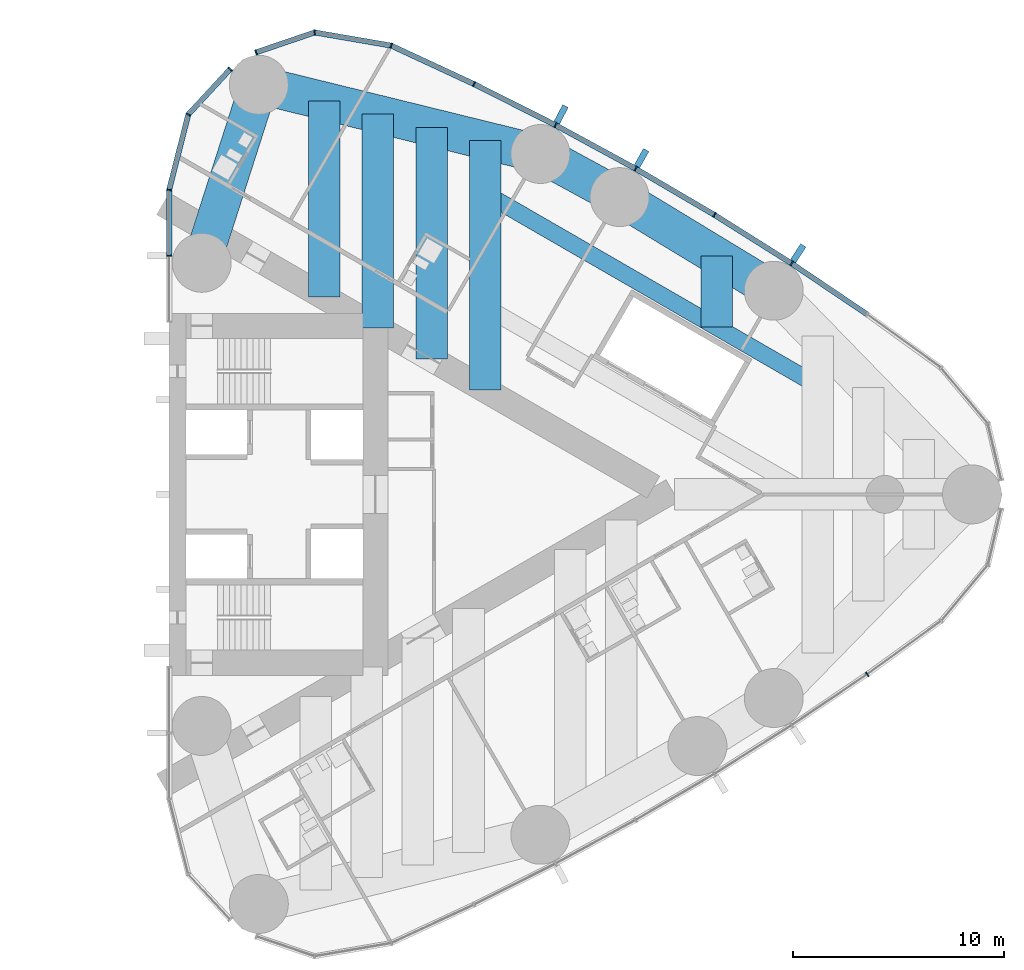
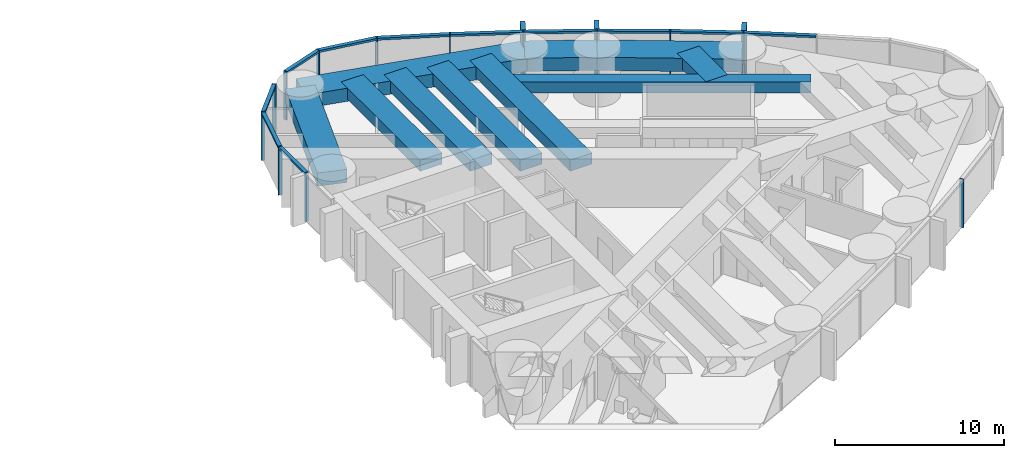
# One storey, part 8 of 19: 27 members, 10 beams, 3 elements without a shape of their own.
"""IFC4 building model written with IfcOpenShell, lengths in metres."""

from ifc_helpers import new_model, si_unit, direction, frame, origin, origin_2d, place, context, subcontext, project, spatial, rectangle, hollow_rectangle, extrude, material, material_profile, profile_set, type_object, element, aggregate, save


model = new_model("IFC4")

# Units and contexts
model_context = context("Model", 3, precision=1e-05, world=origin(), true_north=direction((0.0, 1.0)))
body_context = subcontext(model_context, "Body", "Model", "MODEL_VIEW")
ifc_project = project(units=[si_unit("LENGTHUNIT", "METRE"), si_unit("AREAUNIT", "SQUARE_METRE"), si_unit("VOLUMEUNIT", "CUBIC_METRE"), si_unit("PLANEANGLEUNIT", "RADIAN"), si_unit("MASSUNIT", "GRAM", prefix="KILO")], contexts=[model_context])

# Site, building, storey
site_placement = place(None, origin())
site = spatial("IfcSite", under=ifc_project, at=site_placement, CompositionType="ELEMENT")
building_placement = place(site_placement, origin())
building = spatial("IfcBuilding", under=site, at=building_placement, Name="Lancet Gate Hotel", CompositionType="ELEMENT")
storey_placement = place(building_placement, frame((0.0, 0.0, 177.300048828125)))
storey = spatial("IfcBuildingStorey", under=building, at=storey_placement, Name="L47", CompositionType="ELEMENT", Elevation=177.300048828125)

# Curtain wall, member
ifc_material_1 = material(Name="Aluminium curtain wall", Category="aluminium")
curtain_wall_type = type_object("IfcCurtainWallType", Name="Tower unitised curtain wall", PredefinedType="USERDEFINED", material=ifc_material_1)
curtain_wall_1_placement = place(storey_placement, origin())
curtain_wall_1 = element("IfcCurtainWall", 1, at=curtain_wall_1_placement, inside=storey, type_object=curtain_wall_type, Name="T2 L47 curtain wall 2", ObjectType="UNITISED CURTAIN WALL", PredefinedType="USERDEFINED")
ifc_material_2 = material(Name="Aluminium mullion", Category="aluminium")
ifc_material_profile_1 = material_profile(ifc_material_2, rectangle(XDim=0.06494140625, YDim=0.25, at=origin_2d()), Name="MULLION 65x250")
ifc_profile_set_1 = profile_set([ifc_material_profile_1], Name="Aluminium mullion")
member_type_1 = type_object("IfcMemberType", Name="Aluminium mullion 65x250", PredefinedType="MULLION", material=ifc_profile_set_1)
member_1_placement = place(storey_placement, frame((60.66015625, -8.547607421875, 0.0), z_axis=(0.0, 0.0, 1.0), x_axis=(0.820068208435, 0.572265789222, 0.0)))
member_1 = element("IfcMember", 2, at=member_1_placement, type_object=member_type_1, Name="T2 L47 curtain wall 2 mullion 9", PredefinedType="MULLION", context=body_context, shape_type="SweptSolid", body=[
    extrude(rectangle(XDim=0.06494140625, YDim=0.25, at=origin_2d()), origin(), (0.0, 0.0, 1.0), 3.5),
])
aggregate(curtain_wall_1, [member_1])

# Curtain wall, members
curtain_wall_2_placement = place(storey_placement, origin())
curtain_wall_2 = element("IfcCurtainWall", 3, at=curtain_wall_2_placement, inside=storey, type_object=curtain_wall_type, Name="T2 L47 curtain wall 3", ObjectType="UNITISED CURTAIN WALL", PredefinedType="USERDEFINED")
member_2_placement = place(storey_placement, frame((57.067138671875, 10.970947265625, 0.0), z_axis=(0.0, 0.0, 1.0), x_axis=(-0.837800943278, 0.545975804815, 0.0)))
member_2 = element("IfcMember", 4, at=member_2_placement, type_object=member_type_1, Name="T2 L47 curtain wall 3 mullion 5", PredefinedType="MULLION", context=body_context, shape_type="SweptSolid", body=[
    extrude(rectangle(XDim=0.06494140625, YDim=0.25, at=origin_2d()), origin(), (0.0, 0.0, 1.0), 3.5),
])
member_3_placement = place(storey_placement, frame((53.39892578125, 13.279541015625, 0.0), z_axis=(0.0, 0.0, 1.0), x_axis=(-0.854691174453, 0.519136779965, 0.0)))
member_3 = element("IfcMember", 5, at=member_3_placement, type_object=member_type_1, Name="T2 L47 curtain wall 3 mullion 6", PredefinedType="MULLION", context=body_context, shape_type="SweptSolid", body=[
    extrude(rectangle(XDim=0.06494140625, YDim=0.25, at=origin_2d()), origin(), (0.0, 0.0, 1.0), 3.5),
])
member_4_placement = place(storey_placement, frame((49.65966796875, 15.47021484375, 0.0), z_axis=(0.0, 0.0, 1.0), x_axis=(-0.870721916932, 0.491775704336, 0.0)))
member_4 = element("IfcMember", 6, at=member_4_placement, type_object=member_type_1, Name="T2 L47 curtain wall 3 mullion 7", PredefinedType="MULLION", context=body_context, shape_type="SweptSolid", body=[
    extrude(rectangle(XDim=0.06494140625, YDim=0.25, at=origin_2d()), origin(), (0.0, 0.0, 1.0), 3.5),
])
member_5_placement = place(storey_placement, frame((45.8525390625, 17.54150390625, 0.0), z_axis=(0.0, 0.0, 1.0), x_axis=(-0.885877049989, 0.463920092584, 0.0)))
member_5 = element("IfcMember", 7, at=member_5_placement, type_object=member_type_1, Name="T2 L47 curtain wall 3 mullion 8", PredefinedType="MULLION", context=body_context, shape_type="SweptSolid", body=[
    extrude(rectangle(XDim=0.06494140625, YDim=0.25, at=origin_2d()), origin(), (0.0, 0.0, 1.0), 3.5),
])
member_6_placement = place(storey_placement, frame((41.98193359375, 19.490966796875, 0.0), z_axis=(0.0, 0.0, 1.0), x_axis=(-0.900141333422, 0.435597956681, 0.0)))
member_6 = element("IfcMember", 8, at=member_6_placement, type_object=member_type_1, Name="T2 L47 curtain wall 3 mullion 9", PredefinedType="MULLION", context=body_context, shape_type="SweptSolid", body=[
    extrude(rectangle(XDim=0.06494140625, YDim=0.25, at=origin_2d()), origin(), (0.0, 0.0, 1.0), 3.5),
])
member_7_placement = place(storey_placement, frame((38.05126953125, 21.31689453125, 0.0), z_axis=(0.0, 0.0, 1.0), x_axis=(-0.951355493327, 0.308095318555, 0.0)))
member_7 = element("IfcMember", 9, at=member_7_placement, type_object=member_type_1, Name="T2 L47 curtain wall 3 mullion 10", PredefinedType="MULLION", context=body_context, shape_type="SweptSolid", body=[
    extrude(rectangle(XDim=0.06494140625, YDim=0.25, at=origin_2d()), origin(), (0.0, 0.0, 1.0), 3.5),
])
member_8_placement = place(storey_placement, frame((34.412109375, 21.9423828125, 0.0), z_axis=(0.0, 0.0, 1.0), x_axis=(-0.99877556888, -0.049470829879, 0.0)))
member_8 = element("IfcMember", 10, at=member_8_placement, type_object=member_type_1, Name="T2 L47 curtain wall 3 mullion 11", PredefinedType="MULLION", context=body_context, shape_type="SweptSolid", body=[
    extrude(rectangle(XDim=0.06494140625, YDim=0.25, at=origin_2d()), origin(), (0.0, 0.0, 1.0), 3.5),
])
member_9_placement = place(storey_placement, frame((31.631591796875, 20.998779296875, 0.0), z_axis=(0.0, 0.0, 1.0), x_axis=(-0.946952368511, -0.321373943827, 0.0)))
member_9 = element("IfcMember", 11, at=member_9_placement, type_object=member_type_1, Name="T2 L47 curtain wall 3 mullion 12", PredefinedType="MULLION", context=body_context, shape_type="SweptSolid", body=[
    extrude(rectangle(XDim=0.06494140625, YDim=0.25, at=origin_2d()), origin(), (0.0, 0.0, 1.0), 3.5),
])

curtain_wall_3_placement = place(storey_placement, origin())
curtain_wall_3 = element("IfcCurtainWall", 12, at=curtain_wall_3_placement, inside=storey, type_object=curtain_wall_type, Name="T2 L47 curtain wall 4", ObjectType="UNITISED CURTAIN WALL", PredefinedType="USERDEFINED")
member_10_placement = place(storey_placement, frame((30.40185546875, 20.199951171875, 0.0), z_axis=(0.0, 0.0, 1.0), x_axis=(-0.67883123083, -0.734294327943, 0.0)))
member_10 = element("IfcMember", 13, at=member_10_placement, type_object=member_type_1, Name="T2 L47 curtain wall 4 mullion 1", PredefinedType="MULLION", context=body_context, shape_type="SweptSolid", body=[
    extrude(rectangle(XDim=0.06494140625, YDim=0.25, at=origin_2d()), origin(), (0.0, 0.0, 1.0), 3.5),
])
member_11_placement = place(storey_placement, frame((28.408935546875, 18.04443359375, 0.0), z_axis=(0.0, 0.0, 1.0), x_axis=(-0.451505925065, -0.892268120932, 0.0)))
member_11 = element("IfcMember", 14, at=member_11_placement, type_object=member_type_1, Name="T2 L47 curtain wall 4 mullion 2", PredefinedType="MULLION", context=body_context, shape_type="SweptSolid", body=[
    extrude(rectangle(XDim=0.06494140625, YDim=0.25, at=origin_2d()), origin(), (0.0, 0.0, 1.0), 3.5),
])
member_12_placement = place(storey_placement, frame((27.5, 14.465576171875, 0.0), z_axis=(0.0, 0.0, 1.0), x_axis=(-0.134206524909, -0.990953383703, 0.0)))
member_12 = element("IfcMember", 15, at=member_12_placement, type_object=member_type_1, Name="T2 L47 curtain wall 4 mullion 3", PredefinedType="MULLION", context=body_context, shape_type="SweptSolid", body=[
    extrude(rectangle(XDim=0.06494140625, YDim=0.25, at=origin_2d()), origin(), (0.0, 0.0, 1.0), 3.5),
])
member_13_placement = place(storey_placement, frame((27.5, 11.332763671875, 0.0), z_axis=(0.0, 0.0, 1.0), x_axis=(0.0, -1.0, 0.0)))
member_13 = element("IfcMember", 16, at=member_13_placement, type_object=member_type_1, Name="T2 L47 curtain wall 4 mullion 4", PredefinedType="MULLION", context=body_context, shape_type="SweptSolid", body=[
    extrude(rectangle(XDim=0.06494140625, YDim=0.25, at=origin_2d()), origin(), (0.0, 0.0, 1.0), 3.5),
])

# Member
ifc_material_3 = material(Name="Aluminium transom", Category="aluminium")
ifc_material_profile_2 = material_profile(ifc_material_3, rectangle(XDim=0.25, YDim=0.14990234375, at=origin_2d()), Name="TRANSOM 250x150")
ifc_profile_set_2 = profile_set([ifc_material_profile_2], Name="Aluminium transom")
member_type_2 = type_object("IfcMemberType", Name="Aluminium transom 250x150", PredefinedType="USERDEFINED", material=ifc_profile_set_2)
member_14_placement = place(storey_placement, frame((60.63330078125, 8.565673828125, 3.425048828125), z_axis=(-0.829046850689, 0.559179147826, 0.0), x_axis=(-0.559179147826, -0.829046850689, 0.0)))
member_14 = element("IfcMember", 17, at=member_14_placement, type_object=member_type_2, Name="T2 L47 curtain wall 3 transom 4", ObjectType="TRANSOM", PredefinedType="USERDEFINED", context=body_context, shape_type="SweptSolid", body=[
    extrude(rectangle(XDim=0.25, YDim=0.14990234375, at=origin_2d()), origin(), (0.0, 0.0, 1.0), 4.26904296875),
])

member_15_placement = place(storey_placement, frame((57.03955078125, 10.98828125, 3.425048828125), z_axis=(-0.846333101657, 0.532653997488, 0.0), x_axis=(-0.532653997488, -0.846333101657, 0.0)))
member_15 = element("IfcMember", 18, at=member_15_placement, type_object=member_type_2, Name="T2 L47 curtain wall 3 transom 5", ObjectType="TRANSOM", PredefinedType="USERDEFINED", context=body_context, shape_type="SweptSolid", body=[
    extrude(rectangle(XDim=0.25, YDim=0.14990234375, at=origin_2d()), origin(), (0.0, 0.0, 1.0), 4.26904296875),
])

member_16_placement = place(storey_placement, frame((53.37109375, 13.2958984375, 3.425048828125), z_axis=(-0.862825279032, 0.505502262966, 0.0), x_axis=(-0.505502262966, -0.862825279032, 0.0)))
member_16 = element("IfcMember", 19, at=member_16_placement, type_object=member_type_2, Name="T2 L47 curtain wall 3 transom 6", ObjectType="TRANSOM", PredefinedType="USERDEFINED", context=body_context, shape_type="SweptSolid", body=[
    extrude(rectangle(XDim=0.25, YDim=0.14990234375, at=origin_2d()), origin(), (0.0, 0.0, 1.0), 4.26904296875),
])

member_17_placement = place(storey_placement, frame((49.631103515625, 15.48583984375, 3.425048828125), z_axis=(-0.878404302735, 0.477918278513, 0.0), x_axis=(-0.477918278513, -0.878404302735, 0.0)))
member_17 = element("IfcMember", 20, at=member_17_placement, type_object=member_type_2, Name="T2 L47 curtain wall 3 transom 7", ObjectType="TRANSOM", PredefinedType="USERDEFINED", context=body_context, shape_type="SweptSolid", body=[
    extrude(rectangle(XDim=0.25, YDim=0.14990234375, at=origin_2d()), origin(), (0.0, 0.0, 1.0), 4.26904296875),
])

member_18_placement = place(storey_placement, frame((45.82373046875, 17.55615234375, 3.425048828125), z_axis=(-0.893130969207, 0.449796700571, 0.0), x_axis=(-0.449796700571, -0.893130969207, 0.0)))
member_18 = element("IfcMember", 21, at=member_18_placement, type_object=member_type_2, Name="T2 L47 curtain wall 3 transom 8", ObjectType="TRANSOM", PredefinedType="USERDEFINED", context=body_context, shape_type="SweptSolid", body=[
    extrude(rectangle(XDim=0.25, YDim=0.14990234375, at=origin_2d()), origin(), (0.0, 0.0, 1.0), 4.26904296875),
])

member_19_placement = place(storey_placement, frame((41.952392578125, 19.504638671875, 3.425048828125), z_axis=(-0.906913768492, 0.421316290357, 0.0), x_axis=(-0.421316290357, -0.906913768492, 0.0)))
member_19 = element("IfcMember", 22, at=member_19_placement, type_object=member_type_2, Name="T2 L47 curtain wall 3 transom 9", ObjectType="TRANSOM", PredefinedType="USERDEFINED", context=body_context, shape_type="SweptSolid", body=[
    extrude(rectangle(XDim=0.25, YDim=0.14990234375, at=origin_2d()), origin(), (0.0, 0.0, 1.0), 4.26904296875),
])

member_20_placement = place(storey_placement, frame((38.019287109375, 21.322265625, 3.425048828125), z_axis=(-0.985536950873, 0.169460669373, 0.0), x_axis=(-0.169460669373, -0.985536950873, 0.0)))
member_20 = element("IfcMember", 23, at=member_20_placement, type_object=member_type_2, Name="T2 L47 curtain wall 3 transom 10", ObjectType="TRANSOM", PredefinedType="USERDEFINED", context=body_context, shape_type="SweptSolid", body=[
    extrude(rectangle(XDim=0.25, YDim=0.14990234375, at=origin_2d()), origin(), (0.0, 0.0, 1.0), 3.627685546875),
])

member_21_placement = place(storey_placement, frame((34.38134765625, 21.93212890625, 3.425048828125), z_axis=(-0.946943122832, -0.321401185625, 0.0), x_axis=(0.321401185625, -0.946943122832, 0.0)))
member_21 = element("IfcMember", 24, at=member_21_placement, type_object=member_type_2, Name="T2 L47 curtain wall 3 transom 11", ObjectType="TRANSOM", PredefinedType="USERDEFINED", context=body_context, shape_type="SweptSolid", body=[
    extrude(rectangle(XDim=0.25, YDim=0.14990234375, at=origin_2d()), origin(), (0.0, 0.0, 1.0), 2.871337890625),
])

member_22_placement = place(storey_placement, frame((30.379638671875, 20.17626953125, 3.425048828125), z_axis=(-0.678792146129, -0.734330458549, 0.0), x_axis=(0.734330458549, -0.678792146129, 0.0)))
member_22 = element("IfcMember", 25, at=member_22_placement, type_object=member_type_2, Name="T2 L47 curtain wall 4 transom 1", ObjectType="TRANSOM", PredefinedType="USERDEFINED", context=body_context, shape_type="SweptSolid", body=[
    extrude(rectangle(XDim=0.25, YDim=0.14990234375, at=origin_2d()), origin(), (0.0, 0.0, 1.0), 2.87060546875),
])

member_23_placement = place(storey_placement, frame((28.40087890625, 18.012939453125, 3.425048828125), z_axis=(-0.246128756616, -0.969237140831, 0.0), x_axis=(0.969237140831, -0.246128756616, 0.0)))
member_23 = element("IfcMember", 26, at=member_23_placement, type_object=member_type_2, Name="T2 L47 curtain wall 4 transom 2", ObjectType="TRANSOM", PredefinedType="USERDEFINED", context=body_context, shape_type="SweptSolid", body=[
    extrude(rectangle(XDim=0.25, YDim=0.14990234375, at=origin_2d()), origin(), (0.0, 0.0, 1.0), 3.62744140625),
])

member_24_placement = place(storey_placement, frame((27.5, 14.43310546875, 3.425048828125), z_axis=(0.0, -1.0, 0.0), x_axis=(1.0, 0.0, 0.0)))
member_24 = element("IfcMember", 27, at=member_24_placement, type_object=member_type_2, Name="T2 L47 curtain wall 4 transom 3", ObjectType="TRANSOM", PredefinedType="USERDEFINED", context=body_context, shape_type="SweptSolid", body=[
    extrude(rectangle(XDim=0.25, YDim=0.14990234375, at=origin_2d()), origin(), (0.0, 0.0, 1.0), 3.06787109375),
])

aggregate(curtain_wall_3, [member_10, member_11, member_12, member_13, member_22, member_23, member_24])

# Beams
ifc_material_4 = material(Name="Concrete C50/60", Category="concrete")
ifc_material_profile_3 = material_profile(ifc_material_4, rectangle(XDim=1.800048828125, YDim=0.949951171875, at=origin_2d()), Name="RC 1800x950")
ifc_profile_set_3 = profile_set([ifc_material_profile_3], Name="Concrete C50/60")
beam_type_1 = type_object("IfcBeamType", Name="Edge beam RC 1800x950", PredefinedType="SPANDREL", material=ifc_profile_set_3)
beam_1_placement = place(storey_placement, frame((56.220947265625, 9.67236328125, 2.77490234375), z_axis=(-0.854692251129, 0.519135007353, 0.0), x_axis=(-0.519135007353, -0.854692251129, 0.0)))
element("IfcBeam", 28, at=beam_1_placement, inside=storey, type_object=beam_type_1, Name="T2 edge beam EB1 L47", PredefinedType="SPANDREL", context=body_context, shape_type="SweptSolid", body=[
    extrude(rectangle(XDim=1.800048828125, YDim=0.949951171875, at=origin_2d()), origin(), (0.0, 0.0, 1.0), 8.568603515625),
])
beam_2_placement = place(storey_placement, frame((48.8974609375, 14.12060546875, 2.77490234375), z_axis=(-0.878404597051, 0.477917737566, 0.0), x_axis=(-0.477917737566, -0.878404597051, 0.0)))
element("IfcBeam", 29, at=beam_2_placement, inside=storey, type_object=beam_type_1, Name="T2 edge beam EB1 L47", PredefinedType="SPANDREL", context=body_context, shape_type="SweptSolid", body=[
    extrude(rectangle(XDim=1.800048828125, YDim=0.949951171875, at=origin_2d()), origin(), (0.0, 0.0, 1.0), 4.284912109375),
])
beam_3_placement = place(storey_placement, frame((45.133544921875, 16.16845703125, 2.77490234375), z_axis=(-0.971093253227, 0.238700426344, 0.0), x_axis=(-0.238700426344, -0.971093253227, 0.0)))
element("IfcBeam", 30, at=beam_3_placement, inside=storey, type_object=beam_type_1, Name="T2 edge beam EB1 L47", PredefinedType="SPANDREL", context=body_context, shape_type="SweptSolid", body=[
    extrude(rectangle(XDim=1.800048828125, YDim=0.949951171875, at=origin_2d()), origin(), (0.0, 0.0, 1.0), 13.77197265625),
])
beam_4_placement = place(storey_placement, frame((29.050048828125, 11.0, 2.77490234375), z_axis=(0.305169772986, 0.952297962644, 0.0), x_axis=(-0.952297962644, 0.305169772986, 0.0)))
element("IfcBeam", 31, at=beam_4_placement, inside=storey, type_object=beam_type_1, Name="T2 edge beam EB1 L47", PredefinedType="SPANDREL", context=body_context, shape_type="SweptSolid", body=[
    extrude(rectangle(XDim=1.800048828125, YDim=0.949951171875, at=origin_2d()), origin(), (0.0, 0.0, 1.0), 8.87939453125),
])

# Member
ifc_material_5 = material(Name="Precast concrete C50/60", Category="concrete")
ifc_material_profile_4 = material_profile(ifc_material_5, rectangle(XDim=0.300048828125, YDim=0.89990234375, at=origin_2d()), Name="FIN 300x900")
ifc_profile_set_4 = profile_set([ifc_material_profile_4], Name="Precast concrete C50/60")
member_type_3 = type_object("IfcMemberType", Name="Exposed concrete fin 300x900", PredefinedType="USERDEFINED", material=ifc_profile_set_4)
member_25_placement = place(storey_placement, frame((57.381103515625, 11.452880859375, 0.0), z_axis=(0.0, 0.0, 1.0), x_axis=(-0.837800943278, 0.545975804815, 0.0)))
member_25 = element("IfcMember", 32, at=member_25_placement, type_object=member_type_3, Name="T2 L47 curtain wall 3 fin 5", ObjectType="FIN", PredefinedType="USERDEFINED", context=body_context, shape_type="SweptSolid", body=[
    extrude(rectangle(XDim=0.300048828125, YDim=0.89990234375, at=origin_2d()), origin(), (0.0, 0.0, 1.0), 3.5),
])

member_26_placement = place(storey_placement, frame((49.9423828125, 15.970947265625, 0.0), z_axis=(0.0, 0.0, 1.0), x_axis=(-0.870721916932, 0.491775704336, 0.0)))
member_26 = element("IfcMember", 33, at=member_26_placement, type_object=member_type_3, Name="T2 L47 curtain wall 3 fin 7", ObjectType="FIN", PredefinedType="USERDEFINED", context=body_context, shape_type="SweptSolid", body=[
    extrude(rectangle(XDim=0.300048828125, YDim=0.89990234375, at=origin_2d()), origin(), (0.0, 0.0, 1.0), 3.5),
])

member_27_placement = place(storey_placement, frame((46.119384765625, 18.051025390625, 0.0), z_axis=(0.0, 0.0, 1.0), x_axis=(-0.885877049989, 0.463920092584, 0.0)))
member_27 = element("IfcMember", 34, at=member_27_placement, type_object=member_type_3, Name="T2 L47 curtain wall 3 fin 8", ObjectType="FIN", PredefinedType="USERDEFINED", context=body_context, shape_type="SweptSolid", body=[
    extrude(rectangle(XDim=0.300048828125, YDim=0.89990234375, at=origin_2d()), origin(), (0.0, 0.0, 1.0), 3.5),
])

aggregate(curtain_wall_2, [member_2, member_25, member_3, member_4, member_26, member_5, member_27, member_6, member_7, member_8, member_9, member_14, member_15, member_16, member_17, member_18, member_19, member_20, member_21])

# Beams
ifc_material_6 = material(Name="Concrete C50/60", Category="concrete")
ifc_material_profile_5 = material_profile(ifc_material_6, rectangle(XDim=1.5, YDim=0.800048828125, at=origin_2d()), Name="RC 1500x800")
ifc_profile_set_5 = profile_set([ifc_material_profile_5], Name="Concrete C50/60")
beam_type_2 = type_object("IfcBeamType", Name="Floor beam RC 1500x800", PredefinedType="BEAM", material=ifc_profile_set_5)
beam_5_placement = place(storey_placement, frame((34.859619140625, 9.377685546875, 2.849853515625), z_axis=(0.0, 1.0, 0.0), x_axis=(-1.0, 0.0, 0.0)))
element("IfcBeam", 35, at=beam_5_placement, inside=storey, type_object=beam_type_2, Name="T2 floor beam F02N L47", PredefinedType="BEAM", context=body_context, shape_type="SweptSolid", body=[
    extrude(rectangle(XDim=1.5, YDim=0.800048828125, at=origin_2d()), origin(), (0.0, 0.0, 1.0), 9.316162109375),
])
beam_6_placement = place(storey_placement, frame((37.412841796875, 7.903564453125, 2.849853515625), z_axis=(0.0, 1.0, 0.0), x_axis=(-1.0, 0.0, 0.0)))
element("IfcBeam", 36, at=beam_6_placement, inside=storey, type_object=beam_type_2, Name="T2 floor beam F04N L47", PredefinedType="BEAM", context=body_context, shape_type="SweptSolid", body=[
    extrude(rectangle(XDim=1.5, YDim=0.800048828125, at=origin_2d()), origin(), (0.0, 0.0, 1.0), 10.16259765625),
])
beam_7_placement = place(storey_placement, frame((39.9658203125, 6.429443359375, 2.849853515625), z_axis=(0.0, 1.0, 0.0), x_axis=(-1.0, 0.0, 0.0)))
element("IfcBeam", 37, at=beam_7_placement, inside=storey, type_object=beam_type_2, Name="T2 floor beam F06N L47", PredefinedType="BEAM", context=body_context, shape_type="SweptSolid", body=[
    extrude(rectangle(XDim=1.5, YDim=0.800048828125, at=origin_2d()), origin(), (0.0, 0.0, 1.0), 11.00927734375),
])
beam_8_placement = place(storey_placement, frame((42.51904296875, 4.95556640625, 2.849853515625), z_axis=(0.0, 1.0, 0.0), x_axis=(-1.0, 0.0, 0.0)))
element("IfcBeam", 38, at=beam_8_placement, inside=storey, type_object=beam_type_2, Name="T2 floor beam F08N L47", PredefinedType="BEAM", context=body_context, shape_type="SweptSolid", body=[
    extrude(rectangle(XDim=1.5, YDim=0.800048828125, at=origin_2d()), origin(), (0.0, 0.0, 1.0), 11.85546875),
])
beam_9_placement = place(storey_placement, frame((53.502197265625, 7.94775390625, 2.849853515625), z_axis=(0.0, 1.0, 0.0), x_axis=(-1.0, 0.0, 0.0)))
element("IfcBeam", 39, at=beam_9_placement, inside=storey, type_object=beam_type_2, Name="T2 floor beam F11NB L47", PredefinedType="BEAM", context=body_context, shape_type="SweptSolid", body=[
    extrude(rectangle(XDim=1.5, YDim=0.800048828125, at=origin_2d()), origin(), (0.0, 0.0, 1.0), 3.3759765625),
])
ifc_material_7 = material(Name="Steel S460QL", Category="steel")
ifc_material_profile_6 = material_profile(ifc_material_7, hollow_rectangle(XDim=0.800048828125, YDim=0.800048828125, WallThickness=0.080078125, at=origin_2d()), Name="BOX 800x800x80")
ifc_profile_set_6 = profile_set([ifc_material_profile_6], Name="Steel S460QL")
beam_type_3 = type_object("IfcBeamType", Name="Trimmer beam BOX 800x800x80", PredefinedType="BEAM", material=ifc_profile_set_6)
beam_10_placement = place(storey_placement, frame((42.51904296875, 14.289794921875, 2.849853515625), z_axis=(0.865993732867, -0.500054851626, 0.0), x_axis=(0.500054851626, 0.865993732867, 0.0)))
element("IfcBeam", 40, at=beam_10_placement, inside=storey, type_object=beam_type_3, Name="T2 trimmer beam TR01N L47", PredefinedType="BEAM", context=body_context, shape_type="SweptSolid", body=[
    extrude(hollow_rectangle(XDim=0.800048828125, YDim=0.800048828125, WallThickness=0.080078125, at=origin_2d()), origin(), (0.0, 0.0, 1.0), 18.2255859375),
])

save(model, "model.ifc")
